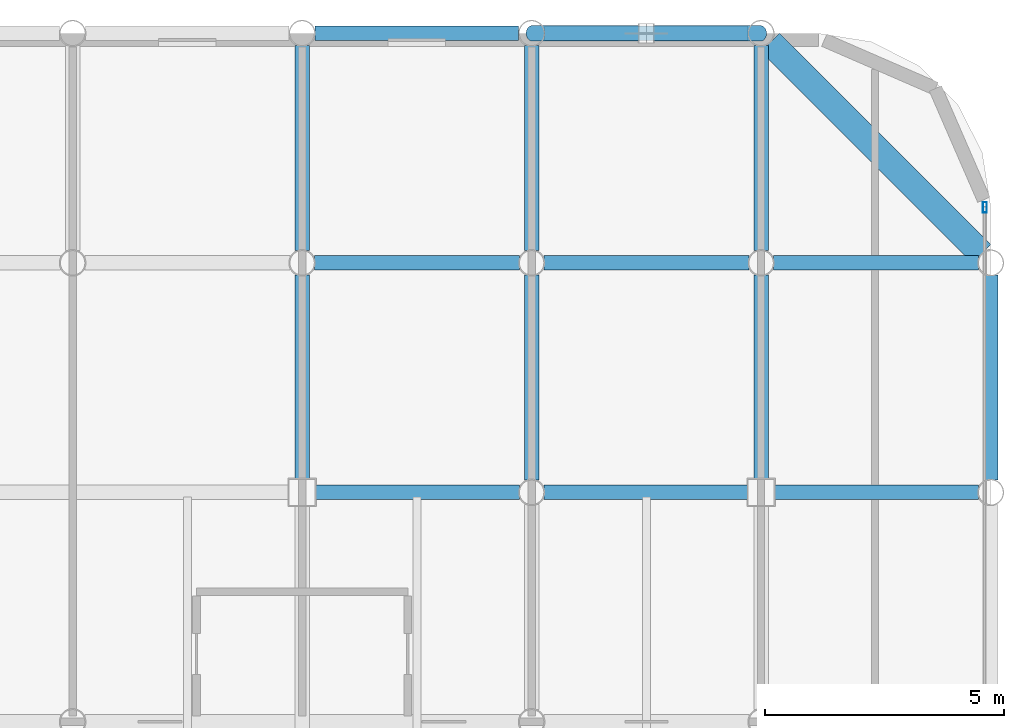
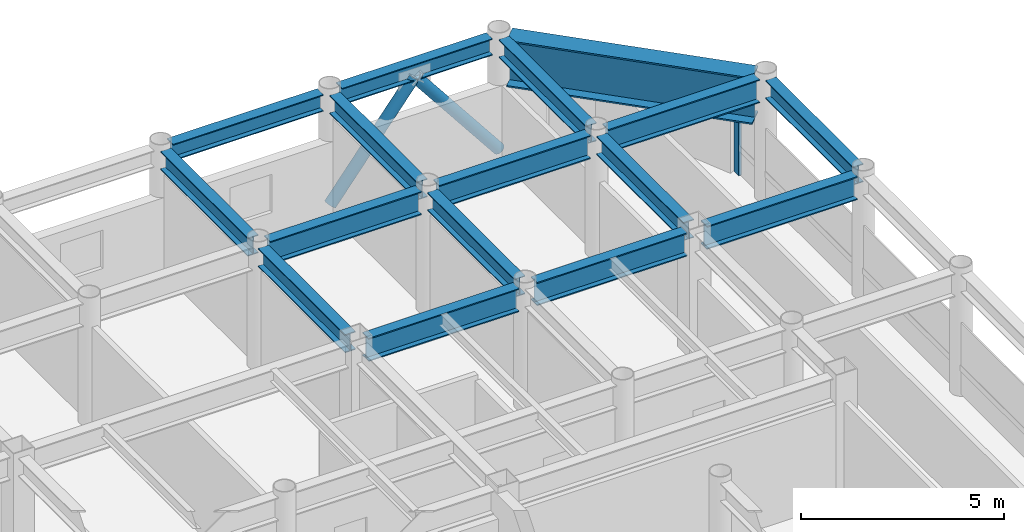
# One storey, part 16 of 22: 16 beams, 3 members, 1 element without a shape of its own.
"""IFC4 building model written with IfcOpenShell, lengths in metres."""

from ifc_helpers import new_model, si_unit, direction, frame, origin, origin_2d, place, context, subcontext, project, spatial, hollow_rectangle, hollow_circle, i_section, extrude, material, layer, layer_set, material_profile, profile_set, type_object, element, aggregate, save


model = new_model("IFC4")

# Units and contexts
model_context = context("Model", 3, precision=1e-05, world=origin(), true_north=direction((0.0, 1.0)))
body_context = subcontext(model_context, "Body", "Model", "MODEL_VIEW")
ifc_project = project(units=[si_unit("LENGTHUNIT", "METRE"), si_unit("AREAUNIT", "SQUARE_METRE"), si_unit("VOLUMEUNIT", "CUBIC_METRE"), si_unit("PLANEANGLEUNIT", "RADIAN"), si_unit("MASSUNIT", "GRAM", prefix="KILO")], contexts=[model_context])

# Site, building, storey
site_placement = place(None, origin())
site = spatial("IfcSite", under=ifc_project, at=site_placement, CompositionType="ELEMENT")
building_placement = place(site_placement, origin())
building = spatial("IfcBuilding", under=site, at=building_placement, Name="Kallvorn Hotel Tower", CompositionType="ELEMENT")
storey_placement = place(building_placement, frame((0.0, 0.0, 260.800048828125)))
storey = spatial("IfcBuildingStorey", under=building, at=storey_placement, Name="L65", CompositionType="ELEMENT", Elevation=260.800048828125)

# Beams
ifc_material_1 = material(Name="Structural steel S355JR", Category="steel")
ifc_material_profile_1 = material_profile(ifc_material_1, i_section(OverallWidth=0.300048828125, OverallDepth=0.5, WebThickness=0.014404296875, FlangeThickness=0.028076171875, at=origin_2d()), Name="HE 500 B")
ifc_profile_set_1 = profile_set([ifc_material_profile_1], Name="Structural steel S355JR")
beam_type_1 = type_object("IfcBeamType", Name="BM_HE500B", PredefinedType="SPANDREL", material=ifc_profile_set_1)
for number, where, z_axis, x_axis, name in (
    (1, (14.66943359375, 24.0, 3.419921875), (1.0, 0.0, 0.0), (0.0, 1.0, 0.0), "L66 Perimeter Spandrel 172"),
    (2, (19.469482421875, 24.0, 3.419921875), (1.0, 0.0, 0.0), (0.0, 1.0, 0.0), "L66 Perimeter Spandrel 173"),
):
    element("IfcBeam", number, at=place(storey_placement, frame(where, z_axis=z_axis, x_axis=x_axis)), inside=storey, type_object=beam_type_1, Name=name, PredefinedType="SPANDREL", context=body_context, shape_type="SweptSolid", body=[
        extrude(i_section(OverallWidth=0.300048828125, OverallDepth=0.5, WebThickness=0.014404296875, FlangeThickness=0.028076171875, at=origin_2d()), origin(), (0.0, 0.0, 1.0), 4.260986328125),
    ])
ifc_material_2 = material(Name="Structural steel S355JR", Category="steel")
ifc_material_profile_2 = material_profile(ifc_material_2, i_section(OverallWidth=0.300048828125, OverallDepth=0.550048828125, WebThickness=0.014892578125, FlangeThickness=0.029052734375, at=origin_2d()), Name="HE 550 B")
ifc_profile_set_2 = profile_set([ifc_material_profile_2], Name="Structural steel S355JR")
beam_type_2 = type_object("IfcBeamType", Name="BM_HE550B", PredefinedType="SPANDREL", material=ifc_profile_set_2)
beam_1_placement = place(storey_placement, frame((14.39990234375, 14.675048828125, 3.39501953125), z_axis=(0.0, 1.0, 0.0), x_axis=(-1.0, 0.0, 0.0)))
element("IfcBeam", 3, at=beam_1_placement, inside=storey, type_object=beam_type_2, Name="L66 Primary Y-Girder 125", PredefinedType="SPANDREL", context=body_context, shape_type="SweptSolid", body=[
    extrude(i_section(OverallWidth=0.300048828125, OverallDepth=0.550048828125, WebThickness=0.014892578125, FlangeThickness=0.029052734375, at=origin_2d()), origin(), (0.0, 0.0, 1.0), 4.2705078125),
])
for number, where, z_axis, x_axis, name in (
    (4, (14.39990234375, 19.45458984375, 3.39501953125), (0.0, 1.0, 0.0), (-1.0, 0.0, 0.0), "L66 Primary Y-Girder 126"),
    (5, (19.199951171875, 14.654541015625, 3.39501953125), (0.0, 1.0, 0.0), (-1.0, 0.0, 0.0), "L66 Primary Y-Girder 134"),
    (6, (19.199951171875, 19.45458984375, 3.39501953125), (0.0, 1.0, 0.0), (-1.0, 0.0, 0.0), "L66 Primary Y-Girder 135"),
):
    element("IfcBeam", number, at=place(storey_placement, frame(where, z_axis=z_axis, x_axis=x_axis)), inside=storey, type_object=beam_type_2, Name=name, PredefinedType="SPANDREL", context=body_context, shape_type="SweptSolid", body=[
        extrude(i_section(OverallWidth=0.300048828125, OverallDepth=0.550048828125, WebThickness=0.014892578125, FlangeThickness=0.029052734375, at=origin_2d()), origin(), (0.0, 0.0, 1.0), 4.291015625),
    ])
beam_2_placement = place(storey_placement, frame((24.0, 14.675048828125, 3.39501953125), z_axis=(0.0, 1.0, 0.0), x_axis=(-1.0, 0.0, 0.0)))
element("IfcBeam", 7, at=beam_2_placement, inside=storey, type_object=beam_type_2, Name="L66 Primary Y-Girder 141", PredefinedType="SPANDREL", context=body_context, shape_type="SweptSolid", body=[
    extrude(i_section(OverallWidth=0.300048828125, OverallDepth=0.550048828125, WebThickness=0.014892578125, FlangeThickness=0.029052734375, at=origin_2d()), origin(), (0.0, 0.0, 1.0), 4.2705078125),
])
for number, where, z_axis, x_axis, name in (
    (8, (24.0, 19.45458984375, 3.39501953125), (0.0, 1.0, 0.0), (-1.0, 0.0, 0.0), "L66 Primary Y-Girder 142"),
    (9, (28.800048828125, 14.654541015625, 3.39501953125), (0.0, 1.0, 0.0), (-1.0, 0.0, 0.0), "L66 Primary Y-Girder 150"),
):
    element("IfcBeam", number, at=place(storey_placement, frame(where, z_axis=z_axis, x_axis=x_axis)), inside=storey, type_object=beam_type_2, Name=name, PredefinedType="SPANDREL", context=body_context, shape_type="SweptSolid", body=[
        extrude(i_section(OverallWidth=0.300048828125, OverallDepth=0.550048828125, WebThickness=0.014892578125, FlangeThickness=0.029052734375, at=origin_2d()), origin(), (0.0, 0.0, 1.0), 4.291015625),
    ])
ifc_material_3 = material(Name="Structural steel S355JR", Category="steel")
ifc_material_profile_3 = material_profile(ifc_material_3, i_section(OverallWidth=0.300048828125, OverallDepth=0.699951171875, WebThickness=0.01708984375, FlangeThickness=0.031982421875, at=origin_2d()), Name="HE 700 B")
ifc_profile_set_3 = profile_set([ifc_material_profile_3], Name="Structural steel S355JR")
beam_type_3 = type_object("IfcBeamType", Name="BM_HE700B", PredefinedType="BEAM", material=ifc_profile_set_3)
for number, where, z_axis, x_axis, name in (
    (10, (14.675048828125, 14.39990234375, 3.320068359375), (1.0, 0.0, 0.0), (0.0, 1.0, 0.0), "L66 Primary X-Girder 57"),
    (11, (19.45458984375, 14.39990234375, 3.320068359375), (1.0, 0.0, 0.0), (0.0, 1.0, 0.0), "L66 Primary X-Girder 58"),
    (12, (24.27490234375, 14.39990234375, 3.320068359375), (1.0, 0.0, 0.0), (0.0, 1.0, 0.0), "L66 Primary X-Girder 59"),
):
    element("IfcBeam", number, at=place(storey_placement, frame(where, z_axis=z_axis, x_axis=x_axis)), inside=storey, type_object=beam_type_3, Name=name, PredefinedType="BEAM", context=body_context, shape_type="SweptSolid", body=[
        extrude(i_section(OverallWidth=0.300048828125, OverallDepth=0.699951171875, WebThickness=0.01708984375, FlangeThickness=0.031982421875, at=origin_2d()), origin(), (0.0, 0.0, 1.0), 4.2705078125),
    ])
for number, where, z_axis, x_axis, name in (
    (13, (14.654541015625, 19.199951171875, 3.320068359375), (1.0, 0.0, 0.0), (0.0, 1.0, 0.0), "L66 Primary X-Girder 70"),
    (14, (19.45458984375, 19.199951171875, 3.320068359375), (1.0, 0.0, 0.0), (0.0, 1.0, 0.0), "L66 Primary X-Girder 71"),
    (15, (24.25439453125, 19.199951171875, 3.320068359375), (1.0, 0.0, 0.0), (0.0, 1.0, 0.0), "L66 Primary X-Girder 72"),
):
    element("IfcBeam", number, at=place(storey_placement, frame(where, z_axis=z_axis, x_axis=x_axis)), inside=storey, type_object=beam_type_3, Name=name, PredefinedType="BEAM", context=body_context, shape_type="SweptSolid", body=[
        extrude(i_section(OverallWidth=0.300048828125, OverallDepth=0.699951171875, WebThickness=0.01708984375, FlangeThickness=0.031982421875, at=origin_2d()), origin(), (0.0, 0.0, 1.0), 4.291015625),
    ])
ifc_material_4 = material(Name="Structural steel S355JR", Category="steel")
ifc_material_profile_4 = material_profile(ifc_material_4, i_section(OverallWidth=0.550048828125, OverallDepth=1.39990234375, WebThickness=0.02490234375, FlangeThickness=0.044921875, at=origin_2d()), Name="PG 1400x550x25x45")
ifc_profile_set_4 = profile_set([ifc_material_profile_4], Name="Structural steel S355JR")
beam_type_4 = type_object("IfcBeamType", Name="BM_PG_1400", PredefinedType="BEAM", material=ifc_profile_set_4)
beam_3_placement = place(storey_placement, frame((28.609375, 19.390625, 2.969970703125), z_axis=(-0.707106781187, 0.707106781187, 0.0), x_axis=(-0.707106781187, -0.707106781187, 0.0)))
element("IfcBeam", 16, at=beam_3_placement, inside=storey, type_object=beam_type_4, Name="L66 Rounded Corner Tie Beam 191", PredefinedType="BEAM", context=body_context, shape_type="SweptSolid", body=[
    extrude(i_section(OverallWidth=0.550048828125, OverallDepth=1.39990234375, WebThickness=0.02490234375, FlangeThickness=0.044921875, at=origin_2d()), origin(), (0.0, 0.0, 1.0), 6.2490234375),
])

# Curtain wall, member
ifc_material_5 = material(Name="Thermally broken black-anodised aluminium AA 6063-T6", Category="aluminium")
ifc_layer = layer(ifc_material_5, 0.22998046875)
ifc_layer_set = layer_set([ifc_layer], Name="CW_SYS_5_HOTEL_HIGH")
curtain_wall_type = type_object("IfcCurtainWallType", Name="CW_SYS_5_HOTEL_HIGH", PredefinedType="USERDEFINED", material=ifc_layer_set)
curtain_wall_placement = place(storey_placement, origin())
curtain_wall = element("IfcCurtainWall", 17, at=curtain_wall_placement, inside=storey, type_object=curtain_wall_type, Name="L65 Dark-Glass Curtain Wall CW-L65-EN", ObjectType="UNITISED CURTAIN WALL", PredefinedType="USERDEFINED")
ifc_material_6 = material(Name="Thermally broken black-anodised aluminium AA 6063-T6", Category="aluminium")
ifc_material_profile_5 = material_profile(ifc_material_6, hollow_rectangle(XDim=0.080078125, YDim=0.219970703125, WallThickness=0.0048828125, at=origin_2d()), Name="MUL 220x80")
ifc_profile_set_5 = profile_set([ifc_material_profile_5], Name="Thermally broken black-anodised aluminium AA 6063-T6")
member_type_1 = type_object("IfcMemberType", Name="CW_MULLION_220x80", PredefinedType="MULLION", material=ifc_profile_set_5)
member_placement = place(storey_placement, frame((28.679931640625, 20.360107421875, 0.02001953125), z_axis=(0.0, 0.0, 1.0), x_axis=(1.0, 0.0, 0.0)))
member = element("IfcMember", 18, at=member_placement, type_object=member_type_1, Name="CW-L65-EN Mullion 01", PredefinedType="MULLION", context=body_context, shape_type="SweptSolid", body=[
    extrude(hollow_rectangle(XDim=0.080078125, YDim=0.219970703125, WallThickness=0.0048828125, at=origin_2d()), origin(), (0.0, 0.0, 1.0), 2.22998046875),
])
aggregate(curtain_wall, [member])

# Members
ifc_material_7 = material(Name="Structural steel S355J2H", Category="steel")
ifc_material_profile_6 = material_profile(ifc_material_7, hollow_circle(Radius=0.161865234375, WallThickness=0.012451171875, at=origin_2d()), Name="CHS 323.9x12.5")
ifc_profile_set_6 = profile_set([ifc_material_profile_6], Name="Structural steel S355J2H")
member_type_2 = type_object("IfcMemberType", Name="MBR_EXO_CHS323", PredefinedType="BRACE", material=ifc_profile_set_6)
for number, where, z_axis, x_axis, name in (
    (19, (19.21240234375, 24.0, 0.195556640625), (0.62089744796, 0.0, 0.783891803196), (0.0, 1.0, 0.0), "L65 Exoskeleton K-Brace N2A"),
    (20, (23.987548828125, 24.0, 0.195556640625), (-0.62089744796, 0.0, 0.783891803196), (0.0, -1.0, 0.0), "L65 Exoskeleton K-Brace N2B"),
):
    element("IfcMember", number, at=place(storey_placement, frame(where, z_axis=z_axis, x_axis=x_axis)), inside=storey, type_object=member_type_2, Name=name, PredefinedType="BRACE", context=body_context, shape_type="SweptSolid", body=[
        extrude(hollow_circle(Radius=0.161865234375, WallThickness=0.012451171875, at=origin_2d()), origin(), (0.0, 0.0, 1.0), 3.825439453125),
    ])

save(model, "model.ifc")
